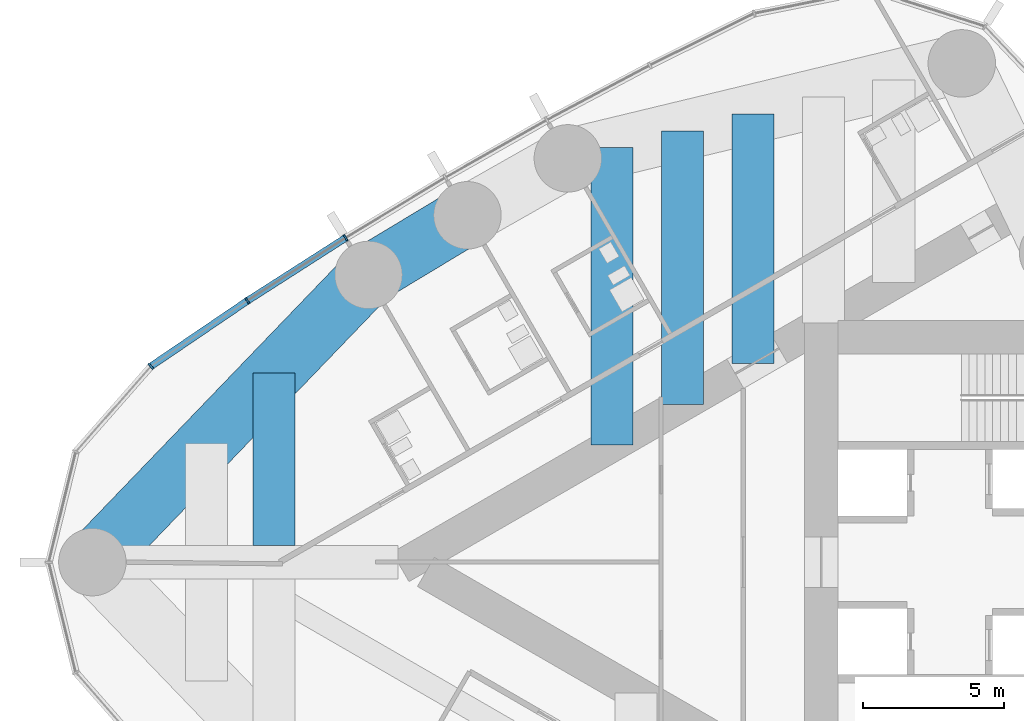
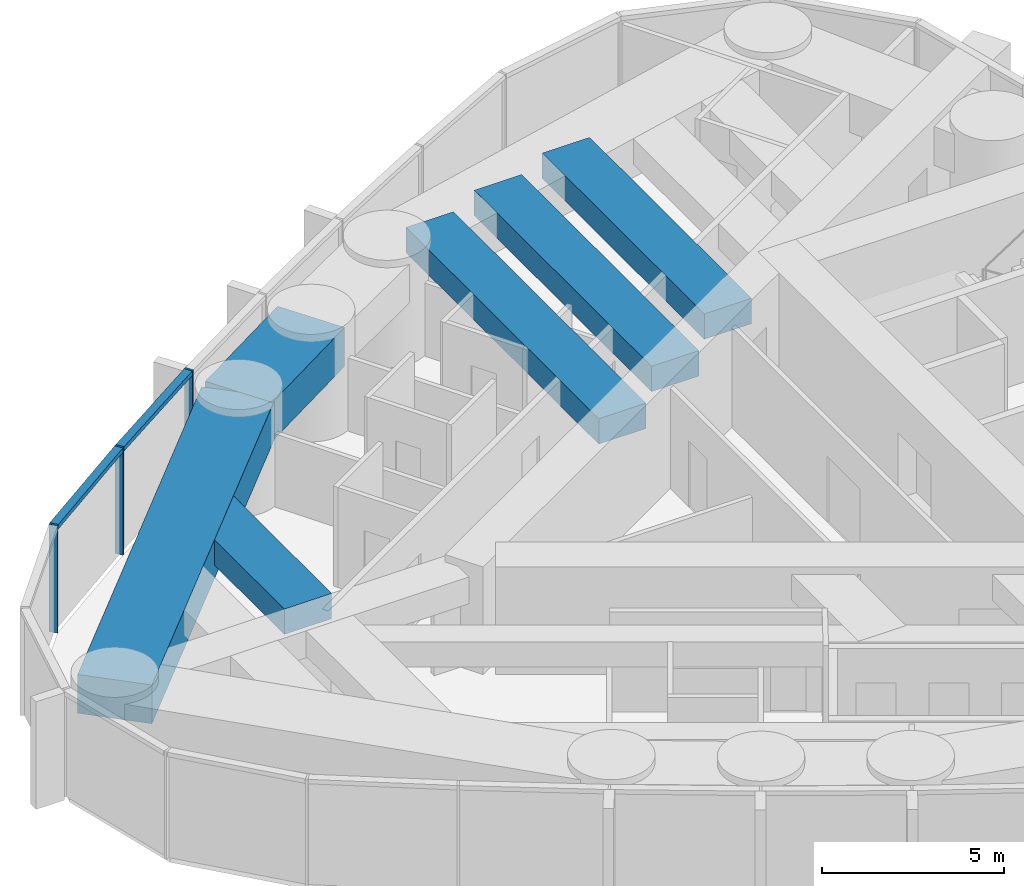
# One storey, part 4 of 24: 6 beams, 5 members, 1 element without a shape of its own.
"""IFC4 building model written with IfcOpenShell, lengths in metres."""

from ifc_helpers import new_model, si_unit, direction, frame, origin, origin_2d, place, context, subcontext, project, spatial, rectangle, extrude, material, material_profile, profile_set, type_object, element, aggregate, save


model = new_model("IFC4")

# Units and contexts
model_context = context("Model", 3, precision=1e-05, world=origin(), true_north=direction((0.0, 1.0)))
body_context = subcontext(model_context, "Body", "Model", "MODEL_VIEW")
ifc_project = project(units=[si_unit("LENGTHUNIT", "METRE"), si_unit("AREAUNIT", "SQUARE_METRE"), si_unit("VOLUMEUNIT", "CUBIC_METRE"), si_unit("PLANEANGLEUNIT", "RADIAN"), si_unit("MASSUNIT", "GRAM", prefix="KILO")], contexts=[model_context])

# Site, building, storey
site_placement = place(None, origin())
site = spatial("IfcSite", under=ifc_project, at=site_placement, CompositionType="ELEMENT")
building_placement = place(site_placement, origin())
building = spatial("IfcBuilding", under=site, at=building_placement, Name="Lancet Gate Hotel", CompositionType="ELEMENT")
storey_placement = place(building_placement, frame((0.0, 0.0, 236.89990234375)))
storey = spatial("IfcBuildingStorey", under=building, at=storey_placement, Name="L63", CompositionType="ELEMENT", Elevation=236.89990234375)

# Curtain wall, members
ifc_material_1 = material(Name="Aluminium curtain wall", Category="aluminium")
curtain_wall_type = type_object("IfcCurtainWallType", Name="Tower unitised curtain wall", PredefinedType="USERDEFINED", material=ifc_material_1)
curtain_wall_placement = place(storey_placement, origin())
curtain_wall = element("IfcCurtainWall", 1, at=curtain_wall_placement, inside=storey, type_object=curtain_wall_type, Name="T1 L63 curtain wall 1", ObjectType="UNITISED CURTAIN WALL", PredefinedType="USERDEFINED")
ifc_material_2 = material(Name="Aluminium mullion", Category="aluminium")
ifc_material_profile_1 = material_profile(ifc_material_2, rectangle(XDim=0.06494140625, YDim=0.25, at=origin_2d()), Name="MULLION 65x250")
ifc_profile_set_1 = profile_set([ifc_material_profile_1], Name="Aluminium mullion")
member_type_1 = type_object("IfcMemberType", Name="Aluminium mullion 65x250", PredefinedType="MULLION", material=ifc_profile_set_1)
member_1_placement = place(storey_placement, frame((-54.225830078125, 11.535400390625, 0.0), z_axis=(0.0, 0.0, 1.0), x_axis=(-0.849342388216, -0.527842313176, 0.0)))
member_1 = element("IfcMember", 2, at=member_1_placement, type_object=member_type_1, Name="T1 L63 curtain wall 1 mullion 9", PredefinedType="MULLION", context=body_context, shape_type="SweptSolid", body=[
    extrude(rectangle(XDim=0.06494140625, YDim=0.25, at=origin_2d()), origin(), (0.0, 0.0, 1.0), 3.60009765625),
])
member_2_placement = place(storey_placement, frame((-57.72021484375, 9.298095703125, 0.0), z_axis=(0.0, 0.0, 1.0), x_axis=(-0.834827178542, -0.550512108829, 0.0)))
member_2 = element("IfcMember", 3, at=member_2_placement, type_object=member_type_1, Name="T1 L63 curtain wall 1 mullion 10", PredefinedType="MULLION", context=body_context, shape_type="SweptSolid", body=[
    extrude(rectangle(XDim=0.06494140625, YDim=0.25, at=origin_2d()), origin(), (0.0, 0.0, 1.0), 3.60009765625),
])
member_3_placement = place(storey_placement, frame((-61.15283203125, 6.967529296875, 0.0), z_axis=(0.0, 0.0, 1.0), x_axis=(-0.750715604757, -0.660625522345, 0.0)))
member_3 = element("IfcMember", 4, at=member_3_placement, type_object=member_type_1, Name="T1 L63 curtain wall 1 mullion 11", PredefinedType="MULLION", context=body_context, shape_type="SweptSolid", body=[
    extrude(rectangle(XDim=0.06494140625, YDim=0.25, at=origin_2d()), origin(), (0.0, 0.0, 1.0), 3.60009765625),
])
ifc_material_3 = material(Name="Aluminium transom", Category="aluminium")
ifc_material_profile_2 = material_profile(ifc_material_3, rectangle(XDim=0.25, YDim=0.14990234375, at=origin_2d()), Name="TRANSOM 250x150")
ifc_profile_set_2 = profile_set([ifc_material_profile_2], Name="Aluminium transom")
member_type_2 = type_object("IfcMemberType", Name="Aluminium transom 250x150", PredefinedType="USERDEFINED", material=ifc_profile_set_2)
member_4_placement = place(storey_placement, frame((-54.253173828125, 11.51806640625, 3.525146484375), z_axis=(-0.842144358733, -0.539252147937, 0.0), x_axis=(0.539252147937, -0.842144358733, 0.0)))
member_4 = element("IfcMember", 5, at=member_4_placement, type_object=member_type_2, Name="T1 L63 curtain wall 1 transom 9", ObjectType="TRANSOM", PredefinedType="USERDEFINED", context=body_context, shape_type="SweptSolid", body=[
    extrude(rectangle(XDim=0.25, YDim=0.14990234375, at=origin_2d()), origin(), (0.0, 0.0, 1.0), 4.084228515625),
])
member_5_placement = place(storey_placement, frame((-57.7470703125, 9.27978515625, 3.525146484375), z_axis=(-0.827348780456, -0.561688521761, 0.0), x_axis=(0.561688521761, -0.827348780456, 0.0)))
member_5 = element("IfcMember", 6, at=member_5_placement, type_object=member_type_2, Name="T1 L63 curtain wall 1 transom 10", ObjectType="TRANSOM", PredefinedType="USERDEFINED", context=body_context, shape_type="SweptSolid", body=[
    extrude(rectangle(XDim=0.25, YDim=0.14990234375, at=origin_2d()), origin(), (0.0, 0.0, 1.0), 4.083984375),
])
aggregate(curtain_wall, [member_1, member_2, member_3, member_4, member_5])

# Beams
ifc_material_4 = material(Name="Concrete C50/60", Category="concrete")
ifc_material_profile_3 = material_profile(ifc_material_4, rectangle(XDim=2.10009765625, YDim=1.300048828125, at=origin_2d()), Name="RC 2100x1300")
ifc_profile_set_3 = profile_set([ifc_material_profile_3], Name="Concrete C50/60")
beam_type_1 = type_object("IfcBeamType", Name="Edge beam RC 2100x1300", PredefinedType="SPANDREL", material=ifc_profile_set_3)
beam_1_placement = place(storey_placement, frame((-49.89013671875, 12.340087890625, 2.7001953125), z_axis=(-0.856358061538, -0.516382484636, 0.0), x_axis=(0.516382484636, -0.856358061538, 0.0)))
element("IfcBeam", 7, at=beam_1_placement, inside=storey, type_object=beam_type_1, Name="T1 edge beam EB1 L63", PredefinedType="SPANDREL", context=body_context, shape_type="SweptSolid", body=[
    extrude(rectangle(XDim=2.10009765625, YDim=1.300048828125, at=origin_2d()), origin(), (0.0, 0.0, 1.0), 4.107666015625),
])
beam_2_placement = place(storey_placement, frame((-53.40771484375, 10.218994140625, 2.7001953125), z_axis=(-0.693134527053, -0.720808245934, 0.0), x_axis=(0.720808245934, -0.693134527053, 0.0)))
element("IfcBeam", 8, at=beam_2_placement, inside=storey, type_object=beam_type_1, Name="T1 edge beam EB1 L63", PredefinedType="SPANDREL", context=body_context, shape_type="SweptSolid", body=[
    extrude(rectangle(XDim=2.10009765625, YDim=1.300048828125, at=origin_2d()), origin(), (0.0, 0.0, 1.0), 14.17724609375),
])
ifc_material_5 = material(Name="Concrete C50/60", Category="concrete")
ifc_material_profile_4 = material_profile(ifc_material_5, rectangle(XDim=1.5, YDim=0.85009765625, at=origin_2d()), Name="RC 1500x850")
ifc_profile_set_4 = profile_set([ifc_material_profile_4], Name="Concrete C50/60")
beam_type_2 = type_object("IfcBeamType", Name="Floor beam RC 1500x850", PredefinedType="BEAM", material=ifc_profile_set_4)
beam_3_placement = place(storey_placement, frame((-39.734130859375, 15.952880859375, 2.925048828125), z_axis=(0.0, -1.0, 0.0), x_axis=(1.0, 0.0, 0.0)))
element("IfcBeam", 9, at=beam_3_placement, inside=storey, type_object=beam_type_2, Name="T1 floor beam F05S L63", PredefinedType="BEAM", context=body_context, shape_type="SweptSolid", body=[
    extrude(rectangle(XDim=1.5, YDim=0.85009765625, at=origin_2d()), origin(), (0.0, 0.0, 1.0), 8.889404296875),
])
beam_4_placement = place(storey_placement, frame((-42.240966796875, 15.348388671875, 2.925048828125), z_axis=(0.0, -1.0, 0.0), x_axis=(1.0, 0.0, 0.0)))
element("IfcBeam", 10, at=beam_4_placement, inside=storey, type_object=beam_type_2, Name="T1 floor beam F06S L63", PredefinedType="BEAM", context=body_context, shape_type="SweptSolid", body=[
    extrude(rectangle(XDim=1.5, YDim=0.85009765625, at=origin_2d()), origin(), (0.0, 0.0, 1.0), 9.732421875),
])
beam_5_placement = place(storey_placement, frame((-44.747802734375, 14.743896484375, 2.925048828125), z_axis=(0.0, -1.0, 0.0), x_axis=(1.0, 0.0, 0.0)))
element("IfcBeam", 11, at=beam_5_placement, inside=storey, type_object=beam_type_2, Name="T1 floor beam F08S L63", PredefinedType="BEAM", context=body_context, shape_type="SweptSolid", body=[
    extrude(rectangle(XDim=1.5, YDim=0.85009765625, at=origin_2d()), origin(), (0.0, 0.0, 1.0), 10.5751953125),
])
beam_6_placement = place(storey_placement, frame((-56.768310546875, 6.72412109375, 2.925048828125), z_axis=(0.0, -1.0, 0.0), x_axis=(1.0, 0.0, 0.0)))
element("IfcBeam", 12, at=beam_6_placement, inside=storey, type_object=beam_type_2, Name="T1 floor beam F09S L63", PredefinedType="BEAM", context=body_context, shape_type="SweptSolid", body=[
    extrude(rectangle(XDim=1.5, YDim=0.85009765625, at=origin_2d()), origin(), (0.0, 0.0, 1.0), 6.1240234375),
])

save(model, "model.ifc")
